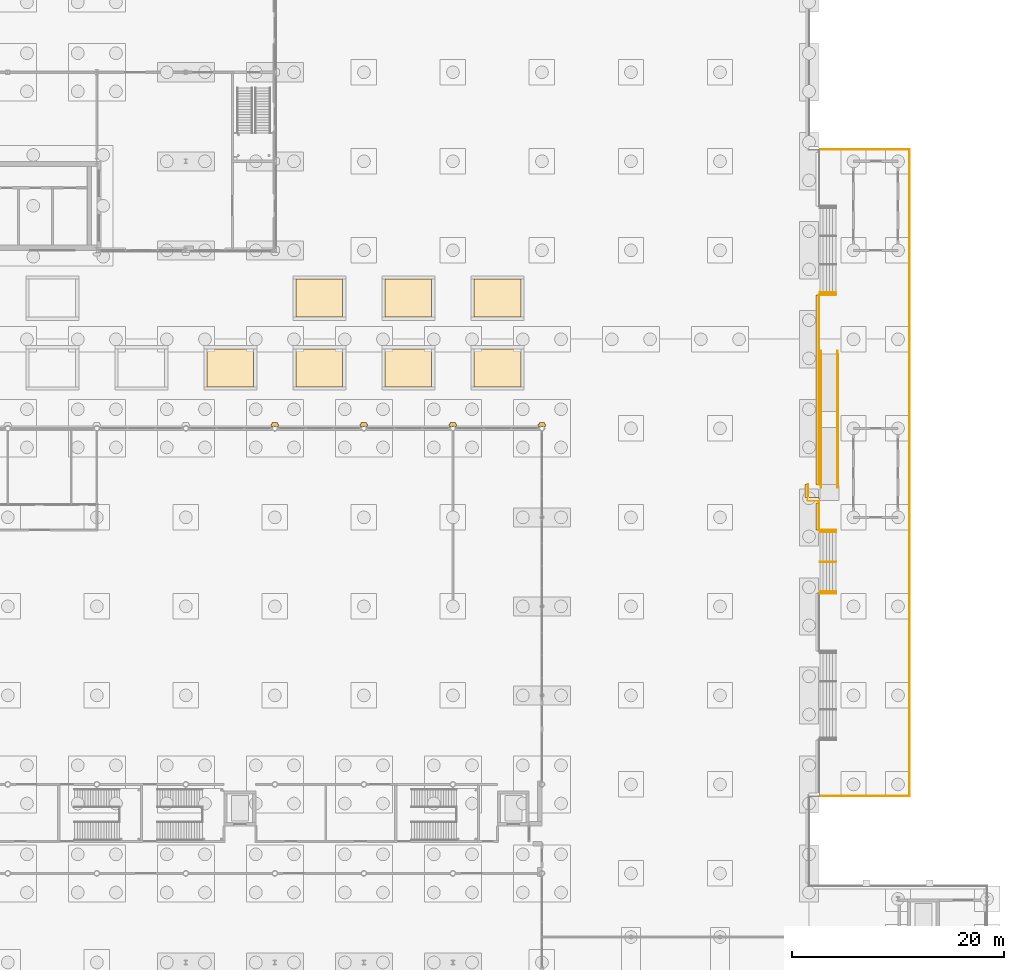
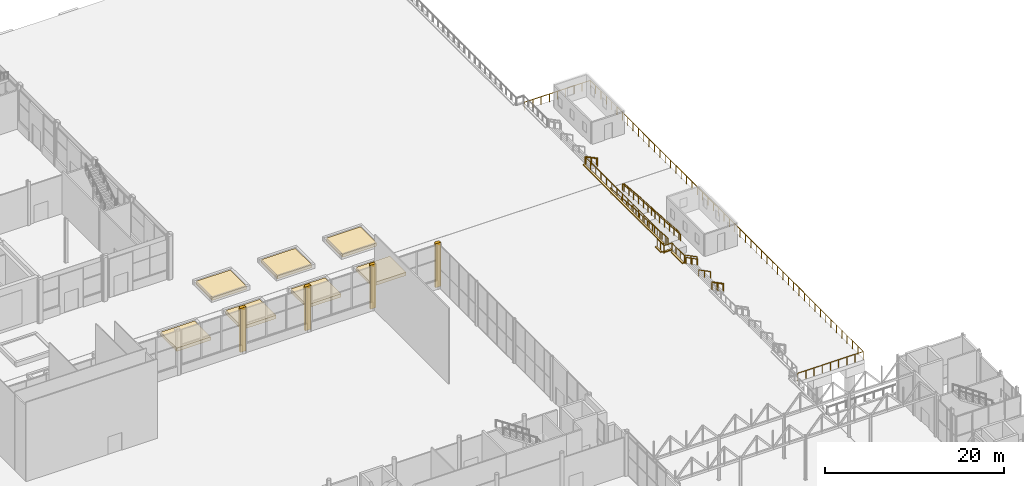
# One storey, part 203 of 212: 15 coverings, 13 railings.
"""IFC4 building model written with IfcOpenShell, lengths in metres."""

from ifc_helpers import new_model, si_unit, direction, frame, origin, origin_2d, place, context, subcontext, project, spatial, polyline, rectangle, circle, outline, extrude, material, layer, layer_set, type_object, element, save


model = new_model("IFC4")

# Units and contexts
model_context = context("Model", 3, precision=1e-05, world=origin(), true_north=direction((0.0, 1.0)))
body_context = subcontext(model_context, "Body", "Model", "MODEL_VIEW")
ifc_project = project(units=[si_unit("LENGTHUNIT", "METRE"), si_unit("AREAUNIT", "SQUARE_METRE"), si_unit("VOLUMEUNIT", "CUBIC_METRE"), si_unit("PLANEANGLEUNIT", "RADIAN"), si_unit("MASSUNIT", "GRAM", prefix="KILO")], contexts=[model_context])

# Site, building, storey
site_placement = place(None, origin())
site = spatial("IfcSite", under=ifc_project, at=site_placement, CompositionType="ELEMENT")
building_placement = place(site_placement, origin())
building = spatial("IfcBuilding", under=site, at=building_placement, Name="Catenary Quay Ferry Terminal", CompositionType="ELEMENT")
storey_placement = place(building_placement, origin())
storey = spatial("IfcBuildingStorey", under=building, at=storey_placement, Name="L00", CompositionType="ELEMENT", Elevation=0.0)

# Coverings
ifc_material_1 = material(Name="Ceramic tile")
ifc_layer_1 = layer(ifc_material_1, 0.0400390625)
ifc_layer_set_1 = layer_set([ifc_layer_1], Name="CL2")
covering_type_1 = type_object("IfcCoveringType", Name="CL2", PredefinedType="CLADDING", material=ifc_layer_set_1)
covering_1_placement = place(storey_placement, origin())
element("IfcCovering", 1, at=covering_1_placement, inside=storey, type_object=covering_type_1, Name="Ceramic pier casing", PredefinedType="CLADDING", context=body_context, shape_type="SweptSolid", body=[
    extrude(outline(polyline([(67.553955078125, 142.9541015625), (67.553955078125, 143.23388671875), (67.4541015625, 143.23388671875), (67.4541015625, 143.35400390625), (66.946044921875, 143.35400390625), (66.946044921875, 143.23388671875), (66.845947265625, 143.23388671875), (66.845947265625, 142.9541015625), (67.553955078125, 142.9541015625)])), origin(), (0.0, 0.0, 1.0), 6.0),
])
covering_2_placement = place(storey_placement, origin())
element("IfcCovering", 2, at=covering_2_placement, inside=storey, type_object=covering_type_1, Name="Ceramic pier casing", PredefinedType="CLADDING", context=body_context, shape_type="SweptSolid", body=[
    extrude(outline(polyline([(75.9541015625, 142.9541015625), (75.9541015625, 143.23388671875), (75.85400390625, 143.23388671875), (75.85400390625, 143.35400390625), (75.345947265625, 143.35400390625), (75.345947265625, 143.23388671875), (75.24609375, 143.23388671875), (75.24609375, 142.9541015625), (75.9541015625, 142.9541015625)])), origin(), (0.0, 0.0, 1.0), 6.0),
])
covering_3_placement = place(storey_placement, origin())
element("IfcCovering", 3, at=covering_3_placement, inside=storey, type_object=covering_type_1, Name="Ceramic pier casing", PredefinedType="CLADDING", context=body_context, shape_type="SweptSolid", body=[
    extrude(outline(polyline([(84.35400390625, 142.9541015625), (84.35400390625, 143.23388671875), (84.25390625, 143.23388671875), (84.25390625, 143.35400390625), (83.74609375, 143.35400390625), (83.74609375, 143.23388671875), (83.64599609375, 143.23388671875), (83.64599609375, 142.9541015625), (84.35400390625, 142.9541015625)])), origin(), (0.0, 0.0, 1.0), 6.0),
])
covering_4_placement = place(storey_placement, origin())
element("IfcCovering", 4, at=covering_4_placement, inside=storey, type_object=covering_type_1, Name="Ceramic pier casing", PredefinedType="CLADDING", context=body_context, shape_type="SweptSolid", body=[
    extrude(outline(polyline([(92.75390625, 142.9541015625), (92.75390625, 143.23388671875), (92.654052734375, 143.23388671875), (92.654052734375, 143.35400390625), (92.14599609375, 143.35400390625), (92.14599609375, 143.23388671875), (92.0458984375, 143.23388671875), (92.0458984375, 142.9541015625), (92.75390625, 142.9541015625)])), origin(), (0.0, 0.0, 1.0), 6.0),
])

# Railings
ifc_material_2 = material(Name="Galvanised steel", Category="steel")
railing_type_1 = type_object("IfcRailingType", Name="GQ1", PredefinedType="GUARDRAIL", material=ifc_material_2)
railing_1_placement = place(storey_placement, frame((118.52001953125, 133.199951171875, 0.0)))
element("IfcRailing", 5, at=railing_1_placement, inside=storey, type_object=railing_type_1, Name="EDGE OF THE QUAY-EDGE BAND", PredefinedType="GUARDRAIL", context=body_context, shape_type="SweptSolid", body=[
    extrude(circle(Radius=0.02392578125, at=origin_2d()), frame((0.0, 0.0, 1.076171875), z_axis=(0.0, 1.0, 0.0), x_axis=(-1.0, 0.0, 0.0)), (0.0, 0.0, 1.0), 2.800048828125),
    extrude(circle(Radius=0.02392578125, at=origin_2d()), frame((0.0, 2.800048828125, 1.076171875), z_axis=(-1.0, 0.0, 0.0), x_axis=(0.0, -1.0, 0.0)), (0.0, 0.0, 1.0), 1.02001953125),
    extrude(circle(Radius=0.02392578125, at=origin_2d()), frame((-1.02001953125, 2.800048828125, 1.076171875), z_axis=(0.0, 1.0, 0.0), x_axis=(-1.0, 0.0, 0.0)), (0.0, 0.0, 1.0), 1.5),
    extrude(circle(Radius=0.02099609375, at=origin_2d()), origin(), (0.0, 0.0, 1.0), 1.052001953125),
    extrude(circle(Radius=0.02099609375, at=origin_2d()), frame((0.0, 0.933349609375, 0.0)), (0.0, 0.0, 1.0), 1.052001953125),
    extrude(circle(Radius=0.02099609375, at=origin_2d()), frame((0.0, 1.86669921875, 0.0)), (0.0, 0.0, 1.0), 1.052001953125),
    extrude(circle(Radius=0.02099609375, at=origin_2d()), frame((0.0, 2.800048828125, 0.0)), (0.0, 0.0, 1.0), 1.052001953125),
    extrude(circle(Radius=0.02099609375, at=origin_2d()), frame((-1.02001953125, 2.800048828125, 0.0)), (0.0, 0.0, 1.0), 1.052001953125),
    extrude(circle(Radius=0.02099609375, at=origin_2d()), frame((-1.02001953125, 3.550048828125, 0.0)), (0.0, 0.0, 1.0), 1.052001953125),
    extrude(circle(Radius=0.02099609375, at=origin_2d()), frame((-1.02001953125, 4.300048828125, 0.0)), (0.0, 0.0, 1.0), 1.052001953125),
])
railing_2_placement = place(storey_placement, frame((118.52001953125, 137.5, 0.0)))
element("IfcRailing", 6, at=railing_2_placement, inside=storey, type_object=railing_type_1, Name="EDGE OF THE QUAY-EDGE BAND", PredefinedType="GUARDRAIL", context=body_context, shape_type="SweptSolid", body=[
    extrude(circle(Radius=0.02392578125, at=origin_2d()), frame((0.0, 0.0, 1.076171875), z_axis=(0.0, 1.0, 0.0), x_axis=(-1.0, 0.0, 0.0)), (0.0, 0.0, 1.0), 17.89990234375),
    extrude(circle(Radius=0.02099609375, at=origin_2d()), origin(), (0.0, 0.0, 1.0), 1.052001953125),
    extrude(circle(Radius=0.02099609375, at=origin_2d()), frame((0.0, 1.193359375, 0.0)), (0.0, 0.0, 1.0), 1.052001953125),
    extrude(circle(Radius=0.02099609375, at=origin_2d()), frame((0.0, 2.38671875, 0.0)), (0.0, 0.0, 1.0), 1.052001953125),
    extrude(circle(Radius=0.02099609375, at=origin_2d()), frame((0.0, 3.580078125, 0.0)), (0.0, 0.0, 1.0), 1.052001953125),
    extrude(circle(Radius=0.02099609375, at=origin_2d()), frame((0.0, 4.773193359375, 0.0)), (0.0, 0.0, 1.0), 1.052001953125),
    extrude(circle(Radius=0.02099609375, at=origin_2d()), frame((0.0, 5.966552734375, 0.0)), (0.0, 0.0, 1.0), 1.052001953125),
    extrude(circle(Radius=0.02099609375, at=origin_2d()), frame((0.0, 7.159912109375, 0.0)), (0.0, 0.0, 1.0), 1.052001953125),
    extrude(circle(Radius=0.02099609375, at=origin_2d()), frame((0.0, 8.353271484375, 0.0)), (0.0, 0.0, 1.0), 1.052001953125),
    extrude(circle(Radius=0.02099609375, at=origin_2d()), frame((0.0, 9.546630859375, 0.0)), (0.0, 0.0, 1.0), 1.052001953125),
    extrude(circle(Radius=0.02099609375, at=origin_2d()), frame((0.0, 10.739990234375, 0.0)), (0.0, 0.0, 1.0), 1.052001953125),
    extrude(circle(Radius=0.02099609375, at=origin_2d()), frame((0.0, 11.933349609375, 0.0)), (0.0, 0.0, 1.0), 1.052001953125),
    extrude(circle(Radius=0.02099609375, at=origin_2d()), frame((0.0, 13.126708984375, 0.0)), (0.0, 0.0, 1.0), 1.052001953125),
    extrude(circle(Radius=0.02099609375, at=origin_2d()), frame((0.0, 14.31982421875, 0.0)), (0.0, 0.0, 1.0), 1.052001953125),
    extrude(circle(Radius=0.02099609375, at=origin_2d()), frame((0.0, 15.51318359375, 0.0)), (0.0, 0.0, 1.0), 1.052001953125),
    extrude(circle(Radius=0.02099609375, at=origin_2d()), frame((0.0, 16.70654296875, 0.0)), (0.0, 0.0, 1.0), 1.052001953125),
    extrude(circle(Radius=0.02099609375, at=origin_2d()), frame((0.0, 17.89990234375, 0.0)), (0.0, 0.0, 1.0), 1.052001953125),
])
railing_3_placement = place(storey_placement, frame((118.64990234375, 108.10009765625, -0.89990234375)))
element("IfcRailing", 7, at=railing_3_placement, inside=storey, type_object=railing_type_1, Name="RIVER EDGE OF THE RIVER TERRACE", PredefinedType="GUARDRAIL", context=body_context, shape_type="SweptSolid", body=[
    extrude(circle(Radius=0.02392578125, at=origin_2d()), frame((0.0, 0.0, 1.076171875), z_axis=(1.0, 0.0, 0.0), x_axis=(0.0, 1.0, 0.0)), (0.0, 0.0, 1.0), 8.4501953125),
    extrude(circle(Radius=0.02392578125, at=origin_2d()), frame((8.4501953125, 0.0, 1.076171875), z_axis=(0.0, 1.0, 0.0), x_axis=(-1.0, 0.0, 0.0)), (0.0, 0.0, 1.0), 61.0),
    extrude(circle(Radius=0.02392578125, at=origin_2d()), frame((8.4501953125, 61.0, 1.076171875), z_axis=(-1.0, 0.0, 0.0), x_axis=(0.0, -1.0, 0.0)), (0.0, 0.0, 1.0), 8.4501953125),
    extrude(circle(Radius=0.02099609375, at=origin_2d()), origin(), (0.0, 0.0, 1.0), 1.052001953125),
    extrude(circle(Radius=0.02099609375, at=origin_2d()), frame((1.05615234375, 0.0, 0.0)), (0.0, 0.0, 1.0), 1.052001953125),
    extrude(circle(Radius=0.02099609375, at=origin_2d()), frame((2.112548828125, 0.0, 0.0)), (0.0, 0.0, 1.0), 1.052001953125),
    extrude(circle(Radius=0.02099609375, at=origin_2d()), frame((3.1689453125, 0.0, 0.0)), (0.0, 0.0, 1.0), 1.052001953125),
    extrude(circle(Radius=0.02099609375, at=origin_2d()), frame((4.22509765625, 0.0, 0.0)), (0.0, 0.0, 1.0), 1.052001953125),
    extrude(circle(Radius=0.02099609375, at=origin_2d()), frame((5.28125, 0.0, 0.0)), (0.0, 0.0, 1.0), 1.052001953125),
    extrude(circle(Radius=0.02099609375, at=origin_2d()), frame((6.337646484375, 0.0, 0.0)), (0.0, 0.0, 1.0), 1.052001953125),
    extrude(circle(Radius=0.02099609375, at=origin_2d()), frame((7.39404296875, 0.0, 0.0)), (0.0, 0.0, 1.0), 1.052001953125),
    extrude(circle(Radius=0.02099609375, at=origin_2d()), frame((8.4501953125, 0.0, 0.0)), (0.0, 0.0, 1.0), 1.052001953125),
    extrude(circle(Radius=0.02099609375, at=origin_2d()), frame((8.4501953125, 1.196044921875, 0.0)), (0.0, 0.0, 1.0), 1.052001953125),
    extrude(circle(Radius=0.02099609375, at=origin_2d()), frame((8.4501953125, 2.39208984375, 0.0)), (0.0, 0.0, 1.0), 1.052001953125),
    extrude(circle(Radius=0.02099609375, at=origin_2d()), frame((8.4501953125, 3.588134765625, 0.0)), (0.0, 0.0, 1.0), 1.052001953125),
    extrude(circle(Radius=0.02099609375, at=origin_2d()), frame((8.4501953125, 4.784423828125, 0.0)), (0.0, 0.0, 1.0), 1.052001953125),
    extrude(circle(Radius=0.02099609375, at=origin_2d()), frame((8.4501953125, 5.98046875, 0.0)), (0.0, 0.0, 1.0), 1.052001953125),
    extrude(circle(Radius=0.02099609375, at=origin_2d()), frame((8.4501953125, 7.176513671875, 0.0)), (0.0, 0.0, 1.0), 1.052001953125),
    extrude(circle(Radius=0.02099609375, at=origin_2d()), frame((8.4501953125, 8.37255859375, 0.0)), (0.0, 0.0, 1.0), 1.052001953125),
    extrude(circle(Radius=0.02099609375, at=origin_2d()), frame((8.4501953125, 9.568603515625, 0.0)), (0.0, 0.0, 1.0), 1.052001953125),
    extrude(circle(Radius=0.02099609375, at=origin_2d()), frame((8.4501953125, 10.7646484375, 0.0)), (0.0, 0.0, 1.0), 1.052001953125),
    extrude(circle(Radius=0.02099609375, at=origin_2d()), frame((8.4501953125, 11.960693359375, 0.0)), (0.0, 0.0, 1.0), 1.052001953125),
    extrude(circle(Radius=0.02099609375, at=origin_2d()), frame((8.4501953125, 13.156982421875, 0.0)), (0.0, 0.0, 1.0), 1.052001953125),
    extrude(circle(Radius=0.02099609375, at=origin_2d()), frame((8.4501953125, 14.35302734375, 0.0)), (0.0, 0.0, 1.0), 1.052001953125),
    extrude(circle(Radius=0.02099609375, at=origin_2d()), frame((8.4501953125, 15.549072265625, 0.0)), (0.0, 0.0, 1.0), 1.052001953125),
    extrude(circle(Radius=0.02099609375, at=origin_2d()), frame((8.4501953125, 16.7451171875, 0.0)), (0.0, 0.0, 1.0), 1.052001953125),
    extrude(circle(Radius=0.02099609375, at=origin_2d()), frame((8.4501953125, 17.941162109375, 0.0)), (0.0, 0.0, 1.0), 1.052001953125),
    extrude(circle(Radius=0.02099609375, at=origin_2d()), frame((8.4501953125, 19.13720703125, 0.0)), (0.0, 0.0, 1.0), 1.052001953125),
    extrude(circle(Radius=0.02099609375, at=origin_2d()), frame((8.4501953125, 20.333251953125, 0.0)), (0.0, 0.0, 1.0), 1.052001953125),
    extrude(circle(Radius=0.02099609375, at=origin_2d()), frame((8.4501953125, 21.529296875, 0.0)), (0.0, 0.0, 1.0), 1.052001953125),
    extrude(circle(Radius=0.02099609375, at=origin_2d()), frame((8.4501953125, 22.7255859375, 0.0)), (0.0, 0.0, 1.0), 1.052001953125),
    extrude(circle(Radius=0.02099609375, at=origin_2d()), frame((8.4501953125, 23.921630859375, 0.0)), (0.0, 0.0, 1.0), 1.052001953125),
    extrude(circle(Radius=0.02099609375, at=origin_2d()), frame((8.4501953125, 25.11767578125, 0.0)), (0.0, 0.0, 1.0), 1.052001953125),
    extrude(circle(Radius=0.02099609375, at=origin_2d()), frame((8.4501953125, 26.313720703125, 0.0)), (0.0, 0.0, 1.0), 1.052001953125),
    extrude(circle(Radius=0.02099609375, at=origin_2d()), frame((8.4501953125, 27.509765625, 0.0)), (0.0, 0.0, 1.0), 1.052001953125),
    extrude(circle(Radius=0.02099609375, at=origin_2d()), frame((8.4501953125, 28.705810546875, 0.0)), (0.0, 0.0, 1.0), 1.052001953125),
    extrude(circle(Radius=0.02099609375, at=origin_2d()), frame((8.4501953125, 29.90185546875, 0.0)), (0.0, 0.0, 1.0), 1.052001953125),
    extrude(circle(Radius=0.02099609375, at=origin_2d()), frame((8.4501953125, 31.09814453125, 0.0)), (0.0, 0.0, 1.0), 1.052001953125),
    extrude(circle(Radius=0.02099609375, at=origin_2d()), frame((8.4501953125, 32.294189453125, 0.0)), (0.0, 0.0, 1.0), 1.052001953125),
    extrude(circle(Radius=0.02099609375, at=origin_2d()), frame((8.4501953125, 33.490234375, 0.0)), (0.0, 0.0, 1.0), 1.052001953125),
    extrude(circle(Radius=0.02099609375, at=origin_2d()), frame((8.4501953125, 34.686279296875, 0.0)), (0.0, 0.0, 1.0), 1.052001953125),
    extrude(circle(Radius=0.02099609375, at=origin_2d()), frame((8.4501953125, 35.88232421875, 0.0)), (0.0, 0.0, 1.0), 1.052001953125),
    extrude(circle(Radius=0.02099609375, at=origin_2d()), frame((8.4501953125, 37.078369140625, 0.0)), (0.0, 0.0, 1.0), 1.052001953125),
    extrude(circle(Radius=0.02099609375, at=origin_2d()), frame((8.4501953125, 38.2744140625, 0.0)), (0.0, 0.0, 1.0), 1.052001953125),
    extrude(circle(Radius=0.02099609375, at=origin_2d()), frame((8.4501953125, 39.470703125, 0.0)), (0.0, 0.0, 1.0), 1.052001953125),
    extrude(circle(Radius=0.02099609375, at=origin_2d()), frame((8.4501953125, 40.666748046875, 0.0)), (0.0, 0.0, 1.0), 1.052001953125),
    extrude(circle(Radius=0.02099609375, at=origin_2d()), frame((8.4501953125, 41.86279296875, 0.0)), (0.0, 0.0, 1.0), 1.052001953125),
    extrude(circle(Radius=0.02099609375, at=origin_2d()), frame((8.4501953125, 43.058837890625, 0.0)), (0.0, 0.0, 1.0), 1.052001953125),
    extrude(circle(Radius=0.02099609375, at=origin_2d()), frame((8.4501953125, 44.2548828125, 0.0)), (0.0, 0.0, 1.0), 1.052001953125),
    extrude(circle(Radius=0.02099609375, at=origin_2d()), frame((8.4501953125, 45.450927734375, 0.0)), (0.0, 0.0, 1.0), 1.052001953125),
    extrude(circle(Radius=0.02099609375, at=origin_2d()), frame((8.4501953125, 46.64697265625, 0.0)), (0.0, 0.0, 1.0), 1.052001953125),
    extrude(circle(Radius=0.02099609375, at=origin_2d()), frame((8.4501953125, 47.843017578125, 0.0)), (0.0, 0.0, 1.0), 1.052001953125),
    extrude(circle(Radius=0.02099609375, at=origin_2d()), frame((8.4501953125, 49.039306640625, 0.0)), (0.0, 0.0, 1.0), 1.052001953125),
    extrude(circle(Radius=0.02099609375, at=origin_2d()), frame((8.4501953125, 50.2353515625, 0.0)), (0.0, 0.0, 1.0), 1.052001953125),
    extrude(circle(Radius=0.02099609375, at=origin_2d()), frame((8.4501953125, 51.431396484375, 0.0)), (0.0, 0.0, 1.0), 1.052001953125),
    extrude(circle(Radius=0.02099609375, at=origin_2d()), frame((8.4501953125, 52.62744140625, 0.0)), (0.0, 0.0, 1.0), 1.052001953125),
    extrude(circle(Radius=0.02099609375, at=origin_2d()), frame((8.4501953125, 53.823486328125, 0.0)), (0.0, 0.0, 1.0), 1.052001953125),
    extrude(circle(Radius=0.02099609375, at=origin_2d()), frame((8.4501953125, 55.01953125, 0.0)), (0.0, 0.0, 1.0), 1.052001953125),
    extrude(circle(Radius=0.02099609375, at=origin_2d()), frame((8.4501953125, 56.215576171875, 0.0)), (0.0, 0.0, 1.0), 1.052001953125),
    extrude(circle(Radius=0.02099609375, at=origin_2d()), frame((8.4501953125, 57.411865234375, 0.0)), (0.0, 0.0, 1.0), 1.052001953125),
    extrude(circle(Radius=0.02099609375, at=origin_2d()), frame((8.4501953125, 58.60791015625, 0.0)), (0.0, 0.0, 1.0), 1.052001953125),
    extrude(circle(Radius=0.02099609375, at=origin_2d()), frame((8.4501953125, 59.803955078125, 0.0)), (0.0, 0.0, 1.0), 1.052001953125),
    extrude(circle(Radius=0.02099609375, at=origin_2d()), frame((8.4501953125, 61.0, 0.0)), (0.0, 0.0, 1.0), 1.052001953125),
    extrude(circle(Radius=0.02099609375, at=origin_2d()), frame((7.39404296875, 61.0, 0.0)), (0.0, 0.0, 1.0), 1.052001953125),
    extrude(circle(Radius=0.02099609375, at=origin_2d()), frame((6.337646484375, 61.0, 0.0)), (0.0, 0.0, 1.0), 1.052001953125),
    extrude(circle(Radius=0.02099609375, at=origin_2d()), frame((5.28125, 61.0, 0.0)), (0.0, 0.0, 1.0), 1.052001953125),
    extrude(circle(Radius=0.02099609375, at=origin_2d()), frame((4.22509765625, 61.0, 0.0)), (0.0, 0.0, 1.0), 1.052001953125),
    extrude(circle(Radius=0.02099609375, at=origin_2d()), frame((3.1689453125, 61.0, 0.0)), (0.0, 0.0, 1.0), 1.052001953125),
    extrude(circle(Radius=0.02099609375, at=origin_2d()), frame((2.112548828125, 61.0, 0.0)), (0.0, 0.0, 1.0), 1.052001953125),
    extrude(circle(Radius=0.02099609375, at=origin_2d()), frame((1.05615234375, 61.0, 0.0)), (0.0, 0.0, 1.0), 1.052001953125),
    extrude(circle(Radius=0.02099609375, at=origin_2d()), frame((0.0, 61.0, 0.0)), (0.0, 0.0, 1.0), 1.052001953125),
])
ifc_material_3 = material(Name="Galvanised steel", Category="steel")
railing_type_2 = type_object("IfcRailingType", Name="GR2", PredefinedType="GUARDRAIL", material=ifc_material_3)
for number, where, name in (
    (8, (118.6298828125, 127.199951171875, 0.0), "Guard beside river steps 3"),
    (9, (118.6298828125, 133.199951171875, 0.0), "Guard beside river steps 3"),
    (10, (118.6298828125, 155.39990234375, 0.0), "Guard beside river steps 2"),
):
    element("IfcRailing", number, at=place(storey_placement, frame(where)), inside=storey, type_object=railing_type_2, Name=name, PredefinedType="GUARDRAIL", context=body_context, shape_type="SweptSolid", body=[
        extrude(circle(Radius=0.02392578125, at=origin_2d()), frame((0.0, 0.0, 1.076171875), z_axis=(0.894427191, 0.0, -0.4472135955), x_axis=(0.0, 1.0, 0.0)), (0.0, 0.0, 1.0), 1.677001953125),
        extrude(circle(Radius=0.02099609375, at=origin_2d()), origin(), (0.0, 0.0, 1.0), 1.052001953125),
        extrude(circle(Radius=0.02099609375, at=origin_2d()), frame((0.75, 0.0, -0.375)), (0.0, 0.0, 1.0), 1.052001953125),
        extrude(circle(Radius=0.02099609375, at=origin_2d()), frame((1.5, 0.0, -0.75)), (0.0, 0.0, 1.0), 1.052001953125),
    ])
railing_4_placement = place(storey_placement, frame((120.320068359375, 137.5, 0.0)))
element("IfcRailing", 11, at=railing_4_placement, inside=storey, type_object=railing_type_2, Name="Guard beside river ramp", PredefinedType="GUARDRAIL", context=body_context, shape_type="SweptSolid", body=[
    extrude(circle(Radius=0.02392578125, at=origin_2d()), frame((0.0, 0.0, 1.076171875), z_axis=(0.0, 0.996546379678, -0.083038022323), x_axis=(-1.0, 0.0, 0.0)), (0.0, 0.0, 1.0), 5.418701171875),
    extrude(circle(Radius=0.02392578125, at=origin_2d()), frame((0.0, 5.39990234375, 0.6259765625), z_axis=(0.0, 1.0, 0.0), x_axis=(-1.0, 0.0, 0.0)), (0.0, 0.0, 1.0), 1.5),
    extrude(circle(Radius=0.02392578125, at=origin_2d()), frame((0.0, 6.89990234375, 0.6259765625), z_axis=(0.0, 0.996546690331, -0.083034294059), x_axis=(-1.0, 0.0, 0.0)), (0.0, 0.0, 1.0), 5.4189453125),
    extrude(circle(Radius=0.02099609375, at=origin_2d()), origin(), (0.0, 0.0, 1.0), 1.052001953125),
    extrude(circle(Radius=0.02099609375, at=origin_2d()), frame((0.0, 1.080078125, -0.090087890625)), (0.0, 0.0, 1.0), 1.052001953125),
    extrude(circle(Radius=0.02099609375, at=origin_2d()), frame((0.0, 2.159912109375, -0.179931640625)), (0.0, 0.0, 1.0), 1.052001953125),
    extrude(circle(Radius=0.02099609375, at=origin_2d()), frame((0.0, 3.239990234375, -0.27001953125)), (0.0, 0.0, 1.0), 1.052001953125),
    extrude(circle(Radius=0.02099609375, at=origin_2d()), frame((0.0, 4.31982421875, -0.35986328125)), (0.0, 0.0, 1.0), 1.052001953125),
    extrude(circle(Radius=0.02099609375, at=origin_2d()), frame((0.0, 5.39990234375, -0.449951171875)), (0.0, 0.0, 1.0), 1.052001953125),
    extrude(circle(Radius=0.02099609375, at=origin_2d()), frame((0.0, 6.14990234375, -0.449951171875)), (0.0, 0.0, 1.0), 1.052001953125),
    extrude(circle(Radius=0.02099609375, at=origin_2d()), frame((0.0, 6.89990234375, -0.449951171875)), (0.0, 0.0, 1.0), 1.052001953125),
    extrude(circle(Radius=0.02099609375, at=origin_2d()), frame((0.0, 7.97998046875, -0.5400390625)), (0.0, 0.0, 1.0), 1.052001953125),
    extrude(circle(Radius=0.02099609375, at=origin_2d()), frame((0.0, 9.06005859375, -0.6298828125)), (0.0, 0.0, 1.0), 1.052001953125),
    extrude(circle(Radius=0.02099609375, at=origin_2d()), frame((0.0, 10.139892578125, -0.719970703125)), (0.0, 0.0, 1.0), 1.052001953125),
    extrude(circle(Radius=0.02099609375, at=origin_2d()), frame((0.0, 11.219970703125, -0.809814453125)), (0.0, 0.0, 1.0), 1.052001953125),
    extrude(circle(Radius=0.02099609375, at=origin_2d()), frame((0.0, 12.300048828125, -0.89990234375)), (0.0, 0.0, 1.0), 1.052001953125),
])
ifc_material_4 = material(Name="Stainless steel", Category="steel")
railing_type_3 = type_object("IfcRailingType", Name="HR2", PredefinedType="HANDRAIL", material=ifc_material_4)
for number, where, name in (
    (12, (118.6298828125, 127.39990234375, 0.0), "Handrail river steps 3"),
    (13, (118.6298828125, 130.199951171875, 0.0), "Handrail river steps 3"),
    (14, (118.6298828125, 133.0, 0.0), "Handrail river steps 3"),
    (15, (118.6298828125, 155.60009765625, 0.0), "Handrail river steps 2"),
):
    element("IfcRailing", number, at=place(storey_placement, frame(where)), inside=storey, type_object=railing_type_3, Name=name, PredefinedType="HANDRAIL", context=body_context, shape_type="SweptSolid", body=[
        extrude(circle(Radius=0.02392578125, at=origin_2d()), frame((0.0, 0.0, 0.8759765625), z_axis=(0.894427191, 0.0, -0.4472135955), x_axis=(0.0, 1.0, 0.0)), (0.0, 0.0, 1.0), 1.677001953125),
        extrude(circle(Radius=0.02099609375, at=origin_2d()), origin(), (0.0, 0.0, 1.0), 0.851806640625),
        extrude(circle(Radius=0.02099609375, at=origin_2d()), frame((0.75, 0.0, -0.375)), (0.0, 0.0, 1.0), 0.851806640625),
        extrude(circle(Radius=0.02099609375, at=origin_2d()), frame((1.5, 0.0, -0.75)), (0.0, 0.0, 1.0), 0.851806640625),
    ])
railing_5_placement = place(storey_placement, frame((118.739990234375, 137.199951171875, 0.0)))
element("IfcRailing", 16, at=railing_5_placement, inside=storey, type_object=railing_type_3, Name="Handrail river ramp", PredefinedType="HANDRAIL", context=body_context, shape_type="SweptSolid", body=[
    extrude(circle(Radius=0.02392578125, at=origin_2d()), frame((0.0, 0.0, 0.8759765625), z_axis=(0.0, 1.0, 0.0), x_axis=(-1.0, 0.0, 0.0)), (0.0, 0.0, 1.0), 0.300048828125),
    extrude(circle(Radius=0.02392578125, at=origin_2d()), frame((0.0, 0.300048828125, 0.8759765625), z_axis=(0.0, 0.996546379678, -0.083038022323), x_axis=(-1.0, 0.0, 0.0)), (0.0, 0.0, 1.0), 5.418701171875),
    extrude(circle(Radius=0.02392578125, at=origin_2d()), frame((0.0, 5.699951171875, 0.42578125), z_axis=(0.0, 1.0, 0.0), x_axis=(-1.0, 0.0, 0.0)), (0.0, 0.0, 1.0), 1.5),
    extrude(circle(Radius=0.02392578125, at=origin_2d()), frame((0.0, 7.199951171875, 0.42578125), z_axis=(0.0, 0.996546690331, -0.083034294059), x_axis=(-1.0, 0.0, 0.0)), (0.0, 0.0, 1.0), 5.4189453125),
    extrude(circle(Radius=0.02392578125, at=origin_2d()), frame((0.0, 12.60009765625, -0.02392578125), z_axis=(0.0, 1.0, 0.0), x_axis=(-1.0, 0.0, 0.0)), (0.0, 0.0, 1.0), 0.300048828125),
    extrude(circle(Radius=0.02099609375, at=origin_2d()), origin(), (0.0, 0.0, 1.0), 0.851806640625),
    extrude(circle(Radius=0.02099609375, at=origin_2d()), frame((0.0, 0.300048828125, 0.0)), (0.0, 0.0, 1.0), 0.851806640625),
    extrude(circle(Radius=0.02099609375, at=origin_2d()), frame((0.0, 1.380126953125, -0.090087890625)), (0.0, 0.0, 1.0), 0.851806640625),
    extrude(circle(Radius=0.02099609375, at=origin_2d()), frame((0.0, 2.4599609375, -0.179931640625)), (0.0, 0.0, 1.0), 0.851806640625),
    extrude(circle(Radius=0.02099609375, at=origin_2d()), frame((0.0, 3.5400390625, -0.27001953125)), (0.0, 0.0, 1.0), 0.851806640625),
    extrude(circle(Radius=0.02099609375, at=origin_2d()), frame((0.0, 4.619873046875, -0.35986328125)), (0.0, 0.0, 1.0), 0.851806640625),
    extrude(circle(Radius=0.02099609375, at=origin_2d()), frame((0.0, 5.699951171875, -0.449951171875)), (0.0, 0.0, 1.0), 0.851806640625),
    extrude(circle(Radius=0.02099609375, at=origin_2d()), frame((0.0, 6.449951171875, -0.449951171875)), (0.0, 0.0, 1.0), 0.851806640625),
    extrude(circle(Radius=0.02099609375, at=origin_2d()), frame((0.0, 7.199951171875, -0.449951171875)), (0.0, 0.0, 1.0), 0.851806640625),
    extrude(circle(Radius=0.02099609375, at=origin_2d()), frame((0.0, 8.280029296875, -0.5400390625)), (0.0, 0.0, 1.0), 0.851806640625),
    extrude(circle(Radius=0.02099609375, at=origin_2d()), frame((0.0, 9.360107421875, -0.6298828125)), (0.0, 0.0, 1.0), 0.851806640625),
    extrude(circle(Radius=0.02099609375, at=origin_2d()), frame((0.0, 10.43994140625, -0.719970703125)), (0.0, 0.0, 1.0), 0.851806640625),
    extrude(circle(Radius=0.02099609375, at=origin_2d()), frame((0.0, 11.52001953125, -0.809814453125)), (0.0, 0.0, 1.0), 0.851806640625),
    extrude(circle(Radius=0.02099609375, at=origin_2d()), frame((0.0, 12.60009765625, -0.89990234375)), (0.0, 0.0, 1.0), 0.851806640625),
    extrude(circle(Radius=0.02099609375, at=origin_2d()), frame((0.0, 12.900146484375, -0.89990234375)), (0.0, 0.0, 1.0), 0.851806640625),
])
railing_6_placement = place(storey_placement, frame((120.300048828125, 137.199951171875, 0.0)))
element("IfcRailing", 17, at=railing_6_placement, inside=storey, type_object=railing_type_3, Name="Handrail river ramp", PredefinedType="HANDRAIL", context=body_context, shape_type="SweptSolid", body=[
    extrude(circle(Radius=0.02392578125, at=origin_2d()), frame((0.0, 0.0, 0.8759765625), z_axis=(0.0, 1.0, 0.0), x_axis=(-1.0, 0.0, 0.0)), (0.0, 0.0, 1.0), 0.300048828125),
    extrude(circle(Radius=0.02392578125, at=origin_2d()), frame((0.0, 0.300048828125, 0.8759765625), z_axis=(0.0, 0.996546379678, -0.083038022323), x_axis=(-1.0, 0.0, 0.0)), (0.0, 0.0, 1.0), 5.418701171875),
    extrude(circle(Radius=0.02392578125, at=origin_2d()), frame((0.0, 5.699951171875, 0.42578125), z_axis=(0.0, 1.0, 0.0), x_axis=(-1.0, 0.0, 0.0)), (0.0, 0.0, 1.0), 1.5),
    extrude(circle(Radius=0.02392578125, at=origin_2d()), frame((0.0, 7.199951171875, 0.42578125), z_axis=(0.0, 0.996546690331, -0.083034294059), x_axis=(-1.0, 0.0, 0.0)), (0.0, 0.0, 1.0), 5.4189453125),
    extrude(circle(Radius=0.02392578125, at=origin_2d()), frame((0.0, 12.60009765625, -0.02392578125), z_axis=(0.0, 1.0, 0.0), x_axis=(-1.0, 0.0, 0.0)), (0.0, 0.0, 1.0), 0.300048828125),
    extrude(circle(Radius=0.02099609375, at=origin_2d()), origin(), (0.0, 0.0, 1.0), 0.851806640625),
    extrude(circle(Radius=0.02099609375, at=origin_2d()), frame((0.0, 0.300048828125, 0.0)), (0.0, 0.0, 1.0), 0.851806640625),
    extrude(circle(Radius=0.02099609375, at=origin_2d()), frame((0.0, 1.380126953125, -0.090087890625)), (0.0, 0.0, 1.0), 0.851806640625),
    extrude(circle(Radius=0.02099609375, at=origin_2d()), frame((0.0, 2.4599609375, -0.179931640625)), (0.0, 0.0, 1.0), 0.851806640625),
    extrude(circle(Radius=0.02099609375, at=origin_2d()), frame((0.0, 3.5400390625, -0.27001953125)), (0.0, 0.0, 1.0), 0.851806640625),
    extrude(circle(Radius=0.02099609375, at=origin_2d()), frame((0.0, 4.619873046875, -0.35986328125)), (0.0, 0.0, 1.0), 0.851806640625),
    extrude(circle(Radius=0.02099609375, at=origin_2d()), frame((0.0, 5.699951171875, -0.449951171875)), (0.0, 0.0, 1.0), 0.851806640625),
    extrude(circle(Radius=0.02099609375, at=origin_2d()), frame((0.0, 6.449951171875, -0.449951171875)), (0.0, 0.0, 1.0), 0.851806640625),
    extrude(circle(Radius=0.02099609375, at=origin_2d()), frame((0.0, 7.199951171875, -0.449951171875)), (0.0, 0.0, 1.0), 0.851806640625),
    extrude(circle(Radius=0.02099609375, at=origin_2d()), frame((0.0, 8.280029296875, -0.5400390625)), (0.0, 0.0, 1.0), 0.851806640625),
    extrude(circle(Radius=0.02099609375, at=origin_2d()), frame((0.0, 9.360107421875, -0.6298828125)), (0.0, 0.0, 1.0), 0.851806640625),
    extrude(circle(Radius=0.02099609375, at=origin_2d()), frame((0.0, 10.43994140625, -0.719970703125)), (0.0, 0.0, 1.0), 0.851806640625),
    extrude(circle(Radius=0.02099609375, at=origin_2d()), frame((0.0, 11.52001953125, -0.809814453125)), (0.0, 0.0, 1.0), 0.851806640625),
    extrude(circle(Radius=0.02099609375, at=origin_2d()), frame((0.0, 12.60009765625, -0.89990234375)), (0.0, 0.0, 1.0), 0.851806640625),
    extrude(circle(Radius=0.02099609375, at=origin_2d()), frame((0.0, 12.900146484375, -0.89990234375)), (0.0, 0.0, 1.0), 0.851806640625),
])

# Coverings
ifc_material_5 = material(Name="Precast concrete C35/45", Category="concrete")
ifc_layer_2 = layer(ifc_material_5, 0.14990234375)
ifc_layer_set_2 = layer_set([ifc_layer_2], Name="KB1")
covering_type_2 = type_object("IfcCoveringType", Name="KB1", PredefinedType="FLOORING", material=ifc_layer_set_2)
covering_5_placement = place(storey_placement, frame((118.35009765625, 134.4599609375, 0.0), z_axis=(0.0, 0.0, 1.0), x_axis=(1.0, 0.0, 0.0)))
element("IfcCovering", 18, at=covering_5_placement, inside=storey, type_object=covering_type_2, Name="Edge kerb upstand", PredefinedType="FLOORING", context=body_context, shape_type="SweptSolid", body=[
    extrude(rectangle(XDim=0.219970703125, YDim=2.52001953125, at=origin_2d()), origin(), (0.0, 0.0, 1.0), 0.14990234375),
])
covering_6_placement = place(storey_placement, frame((118.010009765625, 136.169921875, 0.0), z_axis=(0.0, 0.0, 1.0), x_axis=(1.0, 0.0, 0.0)))
element("IfcCovering", 19, at=covering_6_placement, inside=storey, type_object=covering_type_2, Name="Edge kerb upstand", PredefinedType="FLOORING", context=body_context, shape_type="SweptSolid", body=[
    extrude(rectangle(XDim=1.02001953125, YDim=0.219970703125, at=origin_2d()), origin(), (0.0, 0.0, 1.0), 0.14990234375),
])
covering_7_placement = place(storey_placement, frame((117.330078125, 136.889892578125, 0.0), z_axis=(0.0, 0.0, 1.0), x_axis=(1.0, 0.0, 0.0)))
element("IfcCovering", 20, at=covering_7_placement, inside=storey, type_object=covering_type_2, Name="Edge kerb upstand", PredefinedType="FLOORING", context=body_context, shape_type="SweptSolid", body=[
    extrude(rectangle(XDim=0.219970703125, YDim=1.219970703125, at=origin_2d()), origin(), (0.0, 0.0, 1.0), 0.14990234375),
])
covering_8_placement = place(storey_placement, frame((118.35009765625, 146.449951171875, 0.0), z_axis=(0.0, 0.0, 1.0), x_axis=(1.0, 0.0, 0.0)))
element("IfcCovering", 21, at=covering_8_placement, inside=storey, type_object=covering_type_2, Name="Edge kerb upstand", PredefinedType="FLOORING", context=body_context, shape_type="SweptSolid", body=[
    extrude(rectangle(XDim=0.219970703125, YDim=17.89990234375, at=origin_2d()), origin(), (0.0, 0.0, 1.0), 0.14990234375),
])
ifc_material_6 = material(Name="Planting soil")
ifc_layer_3 = layer(ifc_material_6, 0.449951171875)
ifc_layer_set_3 = layer_set([ifc_layer_3], Name="SO1")
covering_type_3 = type_object("IfcCoveringType", Name="SO1", PredefinedType="FLOORING", material=ifc_layer_set_3)
for number, where, z_axis, x_axis, name in (
    (22, (63.0, 148.5, 0.0), (0.0, 0.0, 1.0), (1.0, 0.0, 0.0), "Planting soil bed"),
    (23, (71.39990234375, 148.5, 0.0), (0.0, 0.0, 1.0), (1.0, 0.0, 0.0), "Planting soil bed"),
    (24, (71.39990234375, 155.10009765625, 0.0), (0.0, 0.0, 1.0), (1.0, 0.0, 0.0), "Planting soil bed"),
    (25, (79.800048828125, 148.5, 0.0), (0.0, 0.0, 1.0), (1.0, 0.0, 0.0), "Planting soil bed"),
    (26, (79.800048828125, 155.10009765625, 0.0), (0.0, 0.0, 1.0), (1.0, 0.0, 0.0), "Planting soil bed"),
    (27, (88.199951171875, 148.5, 0.0), (0.0, 0.0, 1.0), (1.0, 0.0, 0.0), "Planting soil bed"),
    (28, (88.199951171875, 155.10009765625, 0.0), (0.0, 0.0, 1.0), (1.0, 0.0, 0.0), "Planting soil bed"),
):
    element("IfcCovering", number, at=place(storey_placement, frame(where, z_axis=z_axis, x_axis=x_axis)), inside=storey, type_object=covering_type_3, Name=name, PredefinedType="FLOORING", context=body_context, shape_type="SweptSolid", body=[
        extrude(rectangle(XDim=4.39990234375, YDim=3.60009765625, at=origin_2d()), origin(), (0.0, 0.0, 1.0), 0.449951171875),
    ])

save(model, "model.ifc")
